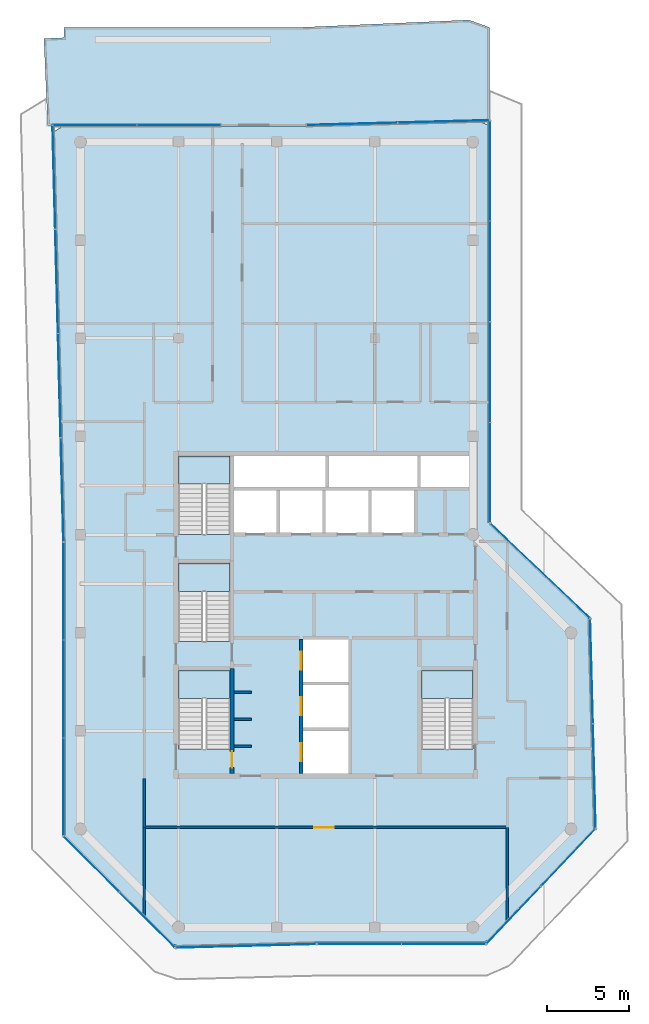
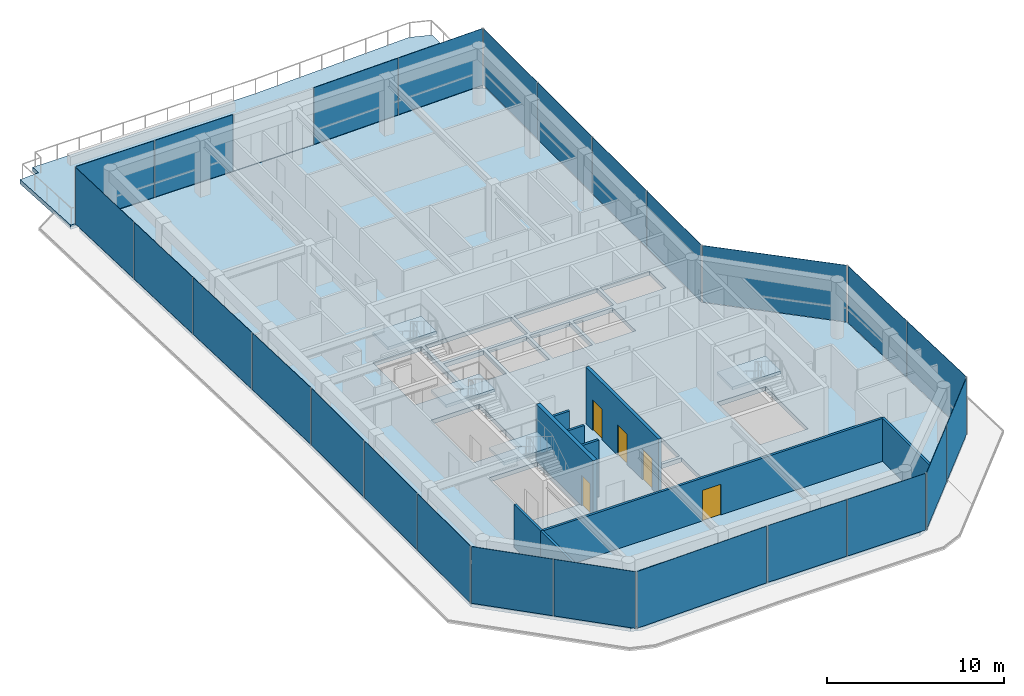
# One storey, part 15 of 20: 25 plates, 9 walls, 6 slabs, 5 doors, 5 openings, 15 elements without a shape of their own.
"""IFC4 building model written with IfcOpenShell, lengths in metres."""

from ifc_helpers import new_model, si_unit, direction, frame, frame_2d, origin, origin_2d, place, context, subcontext, project, spatial, polyline, rectangle, outline, extrude, material, layer, layer_set, type_object, element, fill, aggregate, save


model = new_model("IFC4")

# Units and contexts
model_context = context("Model", 3, precision=1e-05, world=origin(), true_north=direction((0.0, 1.0)))
body_context = subcontext(model_context, "Body", "Model", "MODEL_VIEW")
ifc_project = project(units=[si_unit("LENGTHUNIT", "METRE"), si_unit("AREAUNIT", "SQUARE_METRE"), si_unit("VOLUMEUNIT", "CUBIC_METRE"), si_unit("PLANEANGLEUNIT", "RADIAN"), si_unit("MASSUNIT", "GRAM", prefix="KILO")], contexts=[model_context])

# Site, building, storey
site_placement = place(None, origin())
site = spatial("IfcSite", under=ifc_project, at=site_placement, CompositionType="ELEMENT")
building_placement = place(site_placement, origin())
building = spatial("IfcBuilding", under=site, at=building_placement, Name="Welwitschia Terrace Campus", CompositionType="ELEMENT")
storey_placement = place(building_placement, frame((0.0, 0.0, 327.199951171875)))
storey = spatial("IfcBuildingStorey", under=building, at=storey_placement, Name="L73", CompositionType="ELEMENT", Elevation=327.199951171875)

# Curtain wall, plates
ifc_material_1 = material(Name="Bronze anodised aluminium", Category="aluminium")
ifc_layer_1 = layer(ifc_material_1, 0.10009765625)
ifc_layer_set_1 = layer_set([ifc_layer_1], Name="Bronze anodised aluminium")
curtain_wall_type = type_object("IfcCurtainWallType", Name="Curtain wall CW5 crown 6000", PredefinedType="NOTDEFINED", material=ifc_layer_set_1)
curtain_wall_1_placement = place(storey_placement, origin())
curtain_wall_1 = element("IfcCurtainWall", 1, at=curtain_wall_1_placement, inside=storey, type_object=curtain_wall_type, Name="CW L73.0.0", PredefinedType="NOTDEFINED")
ifc_material_2 = material(Name="Tinted bronze-grey glass", Category="glass")
ifc_layer_2 = layer(ifc_material_2, 0.02392578125)
ifc_layer_set_2 = layer_set([ifc_layer_2], Name="Tinted bronze-grey glass")
plate_type = type_object("IfcPlateType", Name="Glass panel 24 tinted", PredefinedType="CURTAIN_PANEL", material=ifc_layer_set_2)
plate_1_placement = place(storey_placement, frame((-1.030029296875, 16.541015625, 0.0), z_axis=(0.0, 0.0, 1.0), x_axis=(0.0, -1.0, 0.0)))
plate_1 = element("IfcPlate", 2, at=plate_1_placement, type_object=plate_type, Name="Panel L73.0.0.0", PredefinedType="CURTAIN_PANEL", context=body_context, shape_type="SweptSolid", body=[
    extrude(rectangle(XDim=5.9169921875, YDim=0.02392578125, at=origin_2d()), origin(), (0.0, 0.0, 1.0), 3.89990234375),
])
plate_2_placement = place(storey_placement, frame((-1.030029296875, 10.5615234375, 0.0), z_axis=(0.0, 0.0, 1.0), x_axis=(0.0, -1.0, 0.0)))
plate_2 = element("IfcPlate", 3, at=plate_2_placement, type_object=plate_type, Name="Panel L73.0.0.1", PredefinedType="CURTAIN_PANEL", context=body_context, shape_type="SweptSolid", body=[
    extrude(rectangle(XDim=5.942138671875, YDim=0.02392578125, at=origin_2d()), origin(), (0.0, 0.0, 1.0), 3.89990234375),
])
plate_3_placement = place(storey_placement, frame((-1.030029296875, 4.581787109375, 0.0), z_axis=(0.0, 0.0, 1.0), x_axis=(0.0, -1.0, 0.0)))
plate_3 = element("IfcPlate", 4, at=plate_3_placement, type_object=plate_type, Name="Panel L73.0.0.2", PredefinedType="CURTAIN_PANEL", context=body_context, shape_type="SweptSolid", body=[
    extrude(rectangle(XDim=5.9169921875, YDim=0.02392578125, at=origin_2d()), origin(), (0.0, 0.0, 1.0), 3.89990234375),
])
aggregate(curtain_wall_1, [plate_1, plate_2, plate_3])

curtain_wall_2_placement = place(storey_placement, origin())
curtain_wall_2 = element("IfcCurtainWall", 5, at=curtain_wall_2_placement, inside=storey, type_object=curtain_wall_type, Name="CW L73.1.0", PredefinedType="NOTDEFINED")
plate_4_placement = place(storey_placement, frame((0.686279296875, -0.142822265625, 0.0), z_axis=(0.0, 0.0, 1.0), x_axis=(0.707106781187, -0.707106781187, 0.0)))
plate_4 = element("IfcPlate", 6, at=plate_4_placement, type_object=plate_type, Name="Panel L73.1.0.0", PredefinedType="CURTAIN_PANEL", context=body_context, shape_type="SweptSolid", body=[
    extrude(rectangle(XDim=4.75439453125, YDim=0.02392578125, at=origin_2d()), origin(), (0.0, 0.0, 1.0), 3.89990234375),
])
plate_5_placement = place(storey_placement, frame((4.08349609375, -3.5400390625, 0.0), z_axis=(0.0, 0.0, 1.0), x_axis=(0.707106781187, -0.707106781187, 0.0)))
plate_5 = element("IfcPlate", 7, at=plate_5_placement, type_object=plate_type, Name="Panel L73.1.0.1", PredefinedType="CURTAIN_PANEL", context=body_context, shape_type="SweptSolid", body=[
    extrude(rectangle(XDim=4.75439453125, YDim=0.02392578125, at=origin_2d()), origin(), (0.0, 0.0, 1.0), 3.89990234375),
])
aggregate(curtain_wall_2, [plate_4, plate_5])

# Curtain wall, plate
curtain_wall_3_placement = place(storey_placement, origin())
curtain_wall_3 = element("IfcCurtainWall", 8, at=curtain_wall_3_placement, inside=storey, type_object=curtain_wall_type, Name="CW L73.2.0", PredefinedType="NOTDEFINED")
plate_6_placement = place(storey_placement, frame((10.12353515625, -5.143310546875, 0.0), z_axis=(0.0, 0.0, 1.0), x_axis=(0.999657324976, 0.026176948308, 0.0)))
plate_6 = element("IfcPlate", 9, at=plate_6_placement, type_object=plate_type, Name="Panel L73.2.0.0", PredefinedType="CURTAIN_PANEL", context=body_context, shape_type="SweptSolid", body=[
    extrude(rectangle(XDim=8.550537109375, YDim=0.02392578125, at=origin_2d()), origin(), (0.0, 0.0, 1.0), 3.89990234375),
])
aggregate(curtain_wall_3, [plate_6])

# Curtain wall, plates
curtain_wall_4_placement = place(storey_placement, origin())
curtain_wall_4 = element("IfcCurtainWall", 10, at=curtain_wall_4_placement, inside=storey, type_object=curtain_wall_type, Name="CW L73.3.0", PredefinedType="NOTDEFINED")
plate_7_placement = place(storey_placement, frame((17.050048828125, -5.030029296875, 0.0), z_axis=(0.0, 0.0, 1.0), x_axis=(1.0, 0.0, 0.0)))
plate_7 = element("IfcPlate", 11, at=plate_7_placement, type_object=plate_type, Name="Panel L73.3.0.0", PredefinedType="CURTAIN_PANEL", context=body_context, shape_type="SweptSolid", body=[
    extrude(rectangle(XDim=5.105224609375, YDim=0.02392578125, at=origin_2d()), origin(), (0.0, 0.0, 1.0), 3.89990234375),
])
plate_8_placement = place(storey_placement, frame((22.205078125, -5.030029296875, 0.0), z_axis=(0.0, 0.0, 1.0), x_axis=(1.0, 0.0, 0.0)))
plate_8 = element("IfcPlate", 12, at=plate_8_placement, type_object=plate_type, Name="Panel L73.3.0.1", PredefinedType="CURTAIN_PANEL", context=body_context, shape_type="SweptSolid", body=[
    extrude(rectangle(XDim=5.105224609375, YDim=0.02392578125, at=origin_2d()), origin(), (0.0, 0.0, 1.0), 3.89990234375),
])
aggregate(curtain_wall_4, [plate_7, plate_8])

curtain_wall_5_placement = place(storey_placement, origin())
curtain_wall_5 = element("IfcCurtainWall", 13, at=curtain_wall_5_placement, inside=storey, type_object=curtain_wall_type, Name="CW L73.4.0", PredefinedType="NOTDEFINED")
plate_9_placement = place(storey_placement, frame((26.4892578125, -3.2578125, 0.0), z_axis=(0.0, 0.0, 1.0), x_axis=(0.688354575694, 0.725374371012, 0.0)))
plate_9 = element("IfcPlate", 14, at=plate_9_placement, type_object=plate_type, Name="Panel L73.4.0.0", PredefinedType="CURTAIN_PANEL", context=body_context, shape_type="SweptSolid", body=[
    extrude(rectangle(XDim=4.7861328125, YDim=0.02392578125, at=origin_2d()), origin(), (0.0, 0.0, 1.0), 3.89990234375),
])
plate_10_placement = place(storey_placement, frame((29.818359375, 0.25, 0.0), z_axis=(0.0, 0.0, 1.0), x_axis=(0.688354575694, 0.725374371012, 0.0)))
plate_10 = element("IfcPlate", 15, at=plate_10_placement, type_object=plate_type, Name="Panel L73.4.0.1", PredefinedType="CURTAIN_PANEL", context=body_context, shape_type="SweptSolid", body=[
    extrude(rectangle(XDim=4.7861328125, YDim=0.02392578125, at=origin_2d()), origin(), (0.0, 0.0, 1.0), 3.89990234375),
])
aggregate(curtain_wall_5, [plate_9, plate_10])

curtain_wall_6_placement = place(storey_placement, origin())
curtain_wall_6 = element("IfcCurtainWall", 16, at=curtain_wall_6_placement, inside=storey, type_object=curtain_wall_type, Name="CW L73.5.0", PredefinedType="NOTDEFINED")
plate_11_placement = place(storey_placement, frame((31.41552734375, 5.246826171875, 0.0), z_axis=(0.0, 0.0, 1.0), x_axis=(-0.026176948308, 0.999657324976, 0.0)))
plate_11 = element("IfcPlate", 17, at=plate_11_placement, type_object=plate_type, Name="Panel L73.5.0.0", PredefinedType="CURTAIN_PANEL", context=body_context, shape_type="SweptSolid", body=[
    extrude(rectangle(XDim=6.3515625, YDim=0.02392578125, at=origin_2d()), origin(), (0.0, 0.0, 1.0), 3.89990234375),
])
plate_12_placement = place(storey_placement, frame((31.248046875, 11.646240234375, 0.0), z_axis=(0.0, 0.0, 1.0), x_axis=(-0.026176948308, 0.999657324976, 0.0)))
plate_12 = element("IfcPlate", 18, at=plate_12_placement, type_object=plate_type, Name="Panel L73.5.0.1", PredefinedType="CURTAIN_PANEL", context=body_context, shape_type="SweptSolid", body=[
    extrude(rectangle(XDim=6.3515625, YDim=0.02392578125, at=origin_2d()), origin(), (0.0, 0.0, 1.0), 3.89990234375),
])
aggregate(curtain_wall_6, [plate_11, plate_12])

# Curtain wall, plate
curtain_wall_7_placement = place(storey_placement, origin())
curtain_wall_7 = element("IfcCurtainWall", 19, at=curtain_wall_7_placement, inside=storey, type_object=curtain_wall_type, Name="CW L73.6.0", PredefinedType="NOTDEFINED")
plate_13_placement = place(storey_placement, frame((28.0966796875, 17.78125, 0.0), z_axis=(0.0, 0.0, 1.0), x_axis=(-0.725374371012, 0.688354575694, 0.0)))
plate_13 = element("IfcPlate", 20, at=plate_13_placement, type_object=plate_type, Name="Panel L73.6.0.0", PredefinedType="CURTAIN_PANEL", context=body_context, shape_type="SweptSolid", body=[
    extrude(rectangle(XDim=8.355712890625, YDim=0.02392578125, at=origin_2d()), origin(), (0.0, 0.0, 1.0), 3.89990234375),
])
aggregate(curtain_wall_7, [plate_13])

# Curtain wall, plates
curtain_wall_8_placement = place(storey_placement, origin())
curtain_wall_8 = element("IfcCurtainWall", 21, at=curtain_wall_8_placement, inside=storey, type_object=curtain_wall_type, Name="CW L73.7.0", PredefinedType="NOTDEFINED")
plate_14_placement = place(storey_placement, frame((25.030029296875, 23.783203125, 0.0), z_axis=(0.0, 0.0, 1.0), x_axis=(0.0, 1.0, 0.0)))
plate_14 = element("IfcPlate", 22, at=plate_14_placement, type_object=plate_type, Name="Panel L73.7.0.0", PredefinedType="CURTAIN_PANEL", context=body_context, shape_type="SweptSolid", body=[
    extrude(rectangle(XDim=6.083251953125, YDim=0.02392578125, at=origin_2d()), origin(), (0.0, 0.0, 1.0), 3.89990234375),
])
plate_15_placement = place(storey_placement, frame((25.030029296875, 29.9287109375, 0.0), z_axis=(0.0, 0.0, 1.0), x_axis=(0.0, 1.0, 0.0)))
plate_15 = element("IfcPlate", 23, at=plate_15_placement, type_object=plate_type, Name="Panel L73.7.0.1", PredefinedType="CURTAIN_PANEL", context=body_context, shape_type="SweptSolid", body=[
    extrude(rectangle(XDim=6.108154296875, YDim=0.02392578125, at=origin_2d()), origin(), (0.0, 0.0, 1.0), 3.89990234375),
])
plate_16_placement = place(storey_placement, frame((25.030029296875, 36.0869140625, 0.0), z_axis=(0.0, 0.0, 1.0), x_axis=(0.0, 1.0, 0.0)))
plate_16 = element("IfcPlate", 24, at=plate_16_placement, type_object=plate_type, Name="Panel L73.7.0.2", PredefinedType="CURTAIN_PANEL", context=body_context, shape_type="SweptSolid", body=[
    extrude(rectangle(XDim=6.108154296875, YDim=0.02392578125, at=origin_2d()), origin(), (0.0, 0.0, 1.0), 3.89990234375),
])
plate_17_placement = place(storey_placement, frame((25.030029296875, 42.232666015625, 0.0), z_axis=(0.0, 0.0, 1.0), x_axis=(0.0, 1.0, 0.0)))
plate_17 = element("IfcPlate", 25, at=plate_17_placement, type_object=plate_type, Name="Panel L73.7.0.3", PredefinedType="CURTAIN_PANEL", context=body_context, shape_type="SweptSolid", body=[
    extrude(rectangle(XDim=6.083251953125, YDim=0.02392578125, at=origin_2d()), origin(), (0.0, 0.0, 1.0), 3.89990234375),
])
aggregate(curtain_wall_8, [plate_14, plate_15, plate_16, plate_17])

curtain_wall_9_placement = place(storey_placement, origin())
curtain_wall_9 = element("IfcCurtainWall", 26, at=curtain_wall_9_placement, inside=storey, type_object=curtain_wall_type, Name="CW L73.8.0", PredefinedType="NOTDEFINED")
plate_18_placement = place(storey_placement, frame((22.2080078125, 45.25048828125, 0.0), z_axis=(0.0, 0.0, 1.0), x_axis=(-0.999657324976, -0.026176948308, 0.0)))
plate_18 = element("IfcPlate", 27, at=plate_18_placement, type_object=plate_type, Name="Panel L73.8.0.0", PredefinedType="CURTAIN_PANEL", context=body_context, shape_type="SweptSolid", body=[
    extrude(rectangle(XDim=5.5458984375, YDim=0.02392578125, at=origin_2d()), origin(), (0.0, 0.0, 1.0), 3.89990234375),
])
plate_19_placement = place(storey_placement, frame((16.614013671875, 45.10400390625, 0.0), z_axis=(0.0, 0.0, 1.0), x_axis=(-0.999657324976, -0.026176948308, 0.0)))
plate_19 = element("IfcPlate", 28, at=plate_19_placement, type_object=plate_type, Name="Panel L73.8.0.1", PredefinedType="CURTAIN_PANEL", context=body_context, shape_type="SweptSolid", body=[
    extrude(rectangle(XDim=5.5458984375, YDim=0.02392578125, at=origin_2d()), origin(), (0.0, 0.0, 1.0), 3.89990234375),
])
aggregate(curtain_wall_9, [plate_18, plate_19])

curtain_wall_10_placement = place(storey_placement, origin())
curtain_wall_10 = element("IfcCurtainWall", 29, at=curtain_wall_10_placement, inside=storey, type_object=curtain_wall_type, Name="CW L73.9.1", PredefinedType="NOTDEFINED")
plate_20_placement = place(storey_placement, frame((6.034912109375, 45.030029296875, 0.0), z_axis=(0.0, 0.0, 1.0), x_axis=(-1.0, 0.0, 0.0)))
plate_20 = element("IfcPlate", 30, at=plate_20_placement, type_object=plate_type, Name="Panel L73.9.1.0", PredefinedType="CURTAIN_PANEL", context=body_context, shape_type="SweptSolid", body=[
    extrude(rectangle(XDim=5.088134765625, YDim=0.02392578125, at=origin_2d()), origin(), (0.0, 0.0, 1.0), 3.89990234375),
])
plate_21_placement = place(storey_placement, frame((0.896728515625, 45.030029296875, 0.0), z_axis=(0.0, 0.0, 1.0), x_axis=(-1.0, 0.0, 0.0)))
plate_21 = element("IfcPlate", 31, at=plate_21_placement, type_object=plate_type, Name="Panel L73.9.1.1", PredefinedType="CURTAIN_PANEL", context=body_context, shape_type="SweptSolid", body=[
    extrude(rectangle(XDim=5.088134765625, YDim=0.02392578125, at=origin_2d()), origin(), (0.0, 0.0, 1.0), 3.89990234375),
])
aggregate(curtain_wall_10, [plate_20, plate_21])

curtain_wall_11_placement = place(storey_placement, origin())
curtain_wall_11 = element("IfcCurtainWall", 32, at=curtain_wall_11_placement, inside=storey, type_object=curtain_wall_type, Name="CW L73.10.0", PredefinedType="NOTDEFINED")
plate_22_placement = place(storey_placement, frame((-1.613525390625, 41.83251953125, 0.0), z_axis=(0.0, 0.0, 1.0), x_axis=(0.026176948308, -0.999657324976, 0.0)))
plate_22 = element("IfcPlate", 33, at=plate_22_placement, type_object=plate_type, Name="Panel L73.10.0.0", PredefinedType="CURTAIN_PANEL", context=body_context, shape_type="SweptSolid", body=[
    extrude(rectangle(XDim=6.29736328125, YDim=0.02392578125, at=origin_2d()), origin(), (0.0, 0.0, 1.0), 3.89990234375),
])
plate_23_placement = place(storey_placement, frame((-1.447021484375, 35.474853515625, 0.0), z_axis=(0.0, 0.0, 1.0), x_axis=(0.026176948308, -0.999657324976, 0.0)))
plate_23 = element("IfcPlate", 34, at=plate_23_placement, type_object=plate_type, Name="Panel L73.10.0.1", PredefinedType="CURTAIN_PANEL", context=body_context, shape_type="SweptSolid", body=[
    extrude(rectangle(XDim=6.322265625, YDim=0.02392578125, at=origin_2d()), origin(), (0.0, 0.0, 1.0), 3.89990234375),
])
plate_24_placement = place(storey_placement, frame((-1.2802734375, 29.104736328125, 0.0), z_axis=(0.0, 0.0, 1.0), x_axis=(0.026176948308, -0.999657324976, 0.0)))
plate_24 = element("IfcPlate", 35, at=plate_24_placement, type_object=plate_type, Name="Panel L73.10.0.2", PredefinedType="CURTAIN_PANEL", context=body_context, shape_type="SweptSolid", body=[
    extrude(rectangle(XDim=6.322265625, YDim=0.02392578125, at=origin_2d()), origin(), (0.0, 0.0, 1.0), 3.89990234375),
])
plate_25_placement = place(storey_placement, frame((-1.11376953125, 22.7470703125, 0.0), z_axis=(0.0, 0.0, 1.0), x_axis=(0.026176948308, -0.999657324976, 0.0)))
plate_25 = element("IfcPlate", 36, at=plate_25_placement, type_object=plate_type, Name="Panel L73.10.0.3", PredefinedType="CURTAIN_PANEL", context=body_context, shape_type="SweptSolid", body=[
    extrude(rectangle(XDim=6.29736328125, YDim=0.02392578125, at=origin_2d()), origin(), (0.0, 0.0, 1.0), 3.89990234375),
])
aggregate(curtain_wall_11, [plate_22, plate_23, plate_24, plate_25])

# Stair, slab
ifc_material_3 = material(Name="Concrete C40/50", Category="concrete")
stair_type = type_object("IfcStairType", Name="Stair 24R 175 W1500", PredefinedType="HALF_TURN_STAIR", material=ifc_material_3)
stair_1_placement = place(storey_placement, origin())
stair_1 = element("IfcStair", 37, at=stair_1_placement, inside=storey, type_object=stair_type, Name="L73 Exit stair S1", PredefinedType="HALF_TURN_STAIR")
ifc_material_4 = material(Name="Concrete C40/50", Category="concrete")
ifc_layer_3 = layer(ifc_material_4, 0.199951171875)
ifc_layer_set_3 = layer_set([ifc_layer_3], Name="Concrete C40/50")
slab_type_1 = type_object("IfcSlabType", Name="Stair landing RC", PredefinedType="LANDING", material=ifc_layer_set_3)
slab_1_placement = place(storey_placement, frame((0.0, 0.0, 1.900146484375)))
slab_1 = element("IfcSlab", 38, at=slab_1_placement, type_object=slab_type_1, Name="S1 landing 1", PredefinedType="LANDING", context=body_context, shape_type="SweptSolid", body=[
    extrude(outline(polyline([(9.14990234375, 9.97998046875), (9.14990234375, 11.699951171875), (6.0, 11.699951171875), (6.0, 9.97998046875), (9.14990234375, 9.97998046875)])), origin(), (0.0, 0.0, 1.0), 0.199951171875),
])
aggregate(stair_1, [slab_1])

stair_2_placement = place(storey_placement, origin())
stair_2 = element("IfcStair", 39, at=stair_2_placement, inside=storey, type_object=stair_type, Name="L73 Exit stair S3", PredefinedType="HALF_TURN_STAIR")
slab_2_placement = place(storey_placement, frame((0.0, 0.0, 1.900146484375)))
slab_2 = element("IfcSlab", 40, at=slab_2_placement, type_object=slab_type_1, Name="S3 landing 1", PredefinedType="LANDING", context=body_context, shape_type="SweptSolid", body=[
    extrude(outline(polyline([(9.14990234375, 16.530029296875), (9.14990234375, 18.25), (6.0, 18.25), (6.0, 16.530029296875), (9.14990234375, 16.530029296875)])), origin(), (0.0, 0.0, 1.0), 0.199951171875),
])
aggregate(stair_2, [slab_2])

stair_3_placement = place(storey_placement, origin())
stair_3 = element("IfcStair", 41, at=stair_3_placement, inside=storey, type_object=stair_type, Name="L73 Exit stair S4", PredefinedType="HALF_TURN_STAIR")
slab_3_placement = place(storey_placement, frame((0.0, 0.0, 1.900146484375)))
slab_3 = element("IfcSlab", 42, at=slab_3_placement, type_object=slab_type_1, Name="S4 landing 1", PredefinedType="LANDING", context=body_context, shape_type="SweptSolid", body=[
    extrude(outline(polyline([(9.14990234375, 23.080078125), (9.14990234375, 24.800048828125), (6.0, 24.800048828125), (6.0, 23.080078125), (9.14990234375, 23.080078125)])), origin(), (0.0, 0.0, 1.0), 0.199951171875),
])
aggregate(stair_3, [slab_3])

stair_4_placement = place(storey_placement, origin())
stair_4 = element("IfcStair", 43, at=stair_4_placement, inside=storey, type_object=stair_type, Name="L73 Exit stair S2", PredefinedType="HALF_TURN_STAIR")
slab_4_placement = place(storey_placement, frame((0.0, 0.0, 1.900146484375)))
slab_4 = element("IfcSlab", 44, at=slab_4_placement, type_object=slab_type_1, Name="S2 landing 1", PredefinedType="LANDING", context=body_context, shape_type="SweptSolid", body=[
    extrude(outline(polyline([(24.0, 9.97998046875), (24.0, 11.699951171875), (20.85009765625, 11.699951171875), (20.85009765625, 9.97998046875), (24.0, 9.97998046875)])), origin(), (0.0, 0.0, 1.0), 0.199951171875),
])
aggregate(stair_4, [slab_4])

# Slabs
ifc_material_5 = material(Name="Concrete C40/50", Category="concrete")
ifc_layer_4 = layer(ifc_material_5, 0.300048828125)
ifc_layer_set_4 = layer_set([ifc_layer_4], Name="Concrete C40/50")
slab_type_2 = type_object("IfcSlabType", Name="Suspended floor slab 300", PredefinedType="FLOOR", material=ifc_layer_set_4)
slab_5_placement = place(storey_placement, frame((0.0, 0.0, -0.300048828125)))
element("IfcSlab", 45, at=slab_5_placement, inside=storey, type_object=slab_type_2, Name="Floor slab L73", PredefinedType="FLOOR", context=body_context, shape_type="SweptSolid", body=[
    extrude(outline(polyline([(-1.003173828125, 44.998046875), (-0.99609375, 44.986328125), (-1.0, 44.985107421875), (-1.0, 44.985107421875), (13.79248046875, 44.985107421875), (13.79296875, 44.985107421875), (24.33251953125, 45.260986328125), (24.333984375, 45.26025390625), (24.33984375, 45.274169921875), (25.0, 45.0), (25.0, 20.6787109375), (31.1337890625, 14.85791015625), (31.4697265625, 2.03369140625), (25.05859375, -4.72216796875), (24.414306640625, -5.0), (14.447021484375, -5.0), (6.236572265625, -5.215087890625), (5.585693359375, -5.0), (-1.0, 1.585693359375), (-1.0, 19.550048828125), (-1.65576171875, 44.595458984375), (-1.003173828125, 44.998046875)]), holes=[polyline([(13.60009765625, 5.39990234375), (16.39990234375, 5.39990234375), (16.39990234375, 8.0), (13.60009765625, 8.0), (13.60009765625, 5.39990234375)]), polyline([(6.0, 11.699951171875), (6.0, 6.902099609375), (9.14990234375, 6.902099609375), (9.14990234375, 11.699951171875), (6.0, 11.699951171875)]), polyline([(6.0, 18.25), (6.0, 13.451904296875), (9.14990234375, 13.451904296875), (9.14990234375, 18.25), (6.0, 18.25)]), polyline([(9.39990234375, 22.699951171875), (9.39990234375, 20.10009765625), (12.0, 20.10009765625), (12.0, 22.699951171875), (9.39990234375, 22.699951171875)]), polyline([(12.199951171875, 22.699951171875), (12.199951171875, 20.10009765625), (14.800048828125, 20.10009765625), (14.800048828125, 22.699951171875), (12.199951171875, 22.699951171875)]), polyline([(6.0, 24.800048828125), (6.0, 20.001953125), (9.14990234375, 20.001953125), (9.14990234375, 24.800048828125), (6.0, 24.800048828125)]), polyline([(9.39990234375, 24.800048828125), (9.39990234375, 22.89990234375), (15.0, 22.89990234375), (15.0, 24.800048828125), (9.39990234375, 24.800048828125)]), polyline([(20.85009765625, 6.902099609375), (24.0, 6.902099609375), (24.0, 11.699951171875), (20.85009765625, 11.699951171875), (20.85009765625, 6.902099609375)]), polyline([(13.60009765625, 10.800048828125), (13.60009765625, 8.199951171875), (16.39990234375, 8.199951171875), (16.39990234375, 10.800048828125), (13.60009765625, 10.800048828125)]), polyline([(13.60009765625, 13.60009765625), (13.60009765625, 11.0), (16.39990234375, 11.0), (16.39990234375, 13.60009765625), (13.60009765625, 13.60009765625)]), polyline([(15.0, 22.699951171875), (15.0, 20.10009765625), (17.60009765625, 20.10009765625), (17.60009765625, 22.699951171875), (15.0, 22.699951171875)]), polyline([(17.800048828125, 22.699951171875), (17.800048828125, 20.10009765625), (20.39990234375, 20.10009765625), (20.39990234375, 22.699951171875), (17.800048828125, 22.699951171875)]), polyline([(15.199951171875, 24.800048828125), (15.199951171875, 22.89990234375), (20.60009765625, 22.89990234375), (20.60009765625, 24.800048828125), (15.199951171875, 24.800048828125)]), polyline([(20.800048828125, 24.800048828125), (20.800048828125, 22.89990234375), (24.0, 22.89990234375), (24.0, 24.800048828125), (20.800048828125, 24.800048828125)])]), origin(), (0.0, 0.0, 1.0), 0.300048828125),
])
ifc_material_6 = material(Name="Concrete C40/50", Category="concrete")
ifc_layer_5 = layer(ifc_material_6, 0.300048828125)
ifc_layer_set_5 = layer_set([ifc_layer_5], Name="Concrete C40/50")
slab_type_3 = type_object("IfcSlabType", Name="Terrace slab 300", PredefinedType="FLOOR", material=ifc_layer_set_5)
slab_6_placement = place(storey_placement, frame((0.0, 0.0, -0.300048828125)))
element("IfcSlab", 46, at=slab_6_placement, inside=storey, type_object=slab_type_3, Name="Terrace slab", PredefinedType="FLOOR", context=body_context, shape_type="SweptSolid", body=[
    extrude(outline(polyline([(-1.9912109375, 45.0), (-2.223388671875, 50.31591796875), (-1.0, 50.369384765625), (-1.0, 51.0), (13.443359375, 51.0), (23.751953125, 51.4501953125), (25.0, 51.0), (25.0, 45.29345703125), (24.340576171875, 45.276123046875), (24.345458984375, 45.2880859375), (24.341064453125, 45.2900390625), (24.339599609375, 45.29052734375), (24.337890625, 45.290771484375), (24.33642578125, 45.291015625), (24.3349609375, 45.291015625), (13.792236328125, 45.014892578125), (-1.0, 45.014892578125), (-1.00146484375, 45.014892578125), (-1.002685546875, 45.0146484375), (-1.004150390625, 45.014404296875), (-1.00537109375, 45.013916015625), (-1.006591796875, 45.013427734375), (-1.0078125, 45.0126953125), (-1.01123046875, 45.0107421875), (-1.00439453125, 45.0), (-1.9912109375, 45.0)])), origin(), (0.0, 0.0, 1.0), 0.300048828125),
])

# Walls
ifc_material_7 = material(Name="Concrete C50/60", Category="concrete")
ifc_layer_6 = layer(ifc_material_7, 0.14990234375)
ifc_layer_set_6 = layer_set([ifc_layer_6], Name="Concrete C50/60")
wall_type_1 = type_object("IfcWallType", Name="Core wall 150 Concrete C50/60", PredefinedType="SHEAR", material=ifc_layer_set_6)
for number, where, z_axis, x_axis, name in (
    (47, (9.39990234375, 7.074951171875, 0.0), (0.0, 0.0, 1.0), (1.0, 0.0, 0.0), "Core wall"),
    (48, (9.39990234375, 8.72509765625, 0.0), (0.0, 0.0, 1.0), (1.0, 0.0, 0.0), "Core wall"),
    (49, (9.39990234375, 10.375, 0.0), (0.0, 0.0, 1.0), (1.0, 0.0, 0.0), "Core wall"),
):
    element("IfcWall", number, at=place(storey_placement, frame(where, z_axis=z_axis, x_axis=x_axis)), inside=storey, type_object=wall_type_1, Name=name, PredefinedType="SHEAR", context=body_context, shape_type="SweptSolid", body=[
        extrude(rectangle(XDim=1.050048828125, YDim=0.14990234375, at=frame_2d((0.52490234375, 0.0))), origin(), (0.0, 0.0, 1.0), 3.900146484375),
    ])

# Wall, openings, doors
ifc_material_8 = material(Name="Concrete C50/60", Category="concrete")
ifc_layer_7 = layer(ifc_material_8, 0.199951171875)
ifc_layer_set_7 = layer_set([ifc_layer_7], Name="Concrete C50/60")
wall_type_2 = type_object("IfcWallType", Name="Core wall 200 Concrete C50/60", PredefinedType="SHEAR", material=ifc_layer_set_7)
wall_1_placement = place(storey_placement, frame((13.5, 5.39990234375, 0.0), z_axis=(0.0, 0.0, 1.0), x_axis=(0.0, 1.0, 0.0)))
wall_1 = element("IfcWall", 50, at=wall_1_placement, inside=storey, type_object=wall_type_2, Name="Core wall", PredefinedType="SHEAR", context=body_context, shape_type="SweptSolid", body=[
    extrude(rectangle(XDim=8.2001953125, YDim=0.199951171875, at=frame_2d((4.10009765625, 0.0))), origin(), (0.0, 0.0, 1.0), 3.900146484375),
])
opening_1_placement = place(wall_1_placement, frame((0.75, 0.0, 0.0)))
opening_1 = element("IfcOpeningElement", 51, at=opening_1_placement, cuts=wall_1, Name="Opening LD", PredefinedType="OPENING", context=body_context, shape_type="SweptSolid", body=[
    extrude(rectangle(XDim=1.10009765625, YDim=2.10009765625, at=frame_2d((0.550048828125, 1.050048828125))), frame((0.0, 0.10986328125, 0.0), z_axis=(0.0, -1.0, 0.0), x_axis=(1.0, 0.0, 0.0)), (0.0, 0.0, 1.0), 0.219970703125),
])
opening_2_placement = place(wall_1_placement, frame((3.550048828125, 0.0, 0.0)))
opening_2 = element("IfcOpeningElement", 52, at=opening_2_placement, cuts=wall_1, Name="Opening LD", PredefinedType="OPENING", context=body_context, shape_type="SweptSolid", body=[
    extrude(rectangle(XDim=1.10009765625, YDim=2.10009765625, at=frame_2d((0.550048828125, 1.050048828125))), frame((0.0, 0.10986328125, 0.0), z_axis=(0.0, -1.0, 0.0), x_axis=(1.0, 0.0, 0.0)), (0.0, 0.0, 1.0), 0.219970703125),
])
opening_3_placement = place(wall_1_placement, frame((6.35009765625, 0.0, 0.0)))
opening_3 = element("IfcOpeningElement", 53, at=opening_3_placement, cuts=wall_1, Name="Opening LD", PredefinedType="OPENING", context=body_context, shape_type="SweptSolid", body=[
    extrude(rectangle(XDim=1.10009765625, YDim=2.10009765625, at=frame_2d((0.550048828125, 1.050048828125))), frame((0.0, 0.10986328125, 0.0), z_axis=(0.0, -1.0, 0.0), x_axis=(1.0, 0.0, 0.0)), (0.0, 0.0, 1.0), 0.219970703125),
])
ifc_material_9 = material(Name="Stainless steel 304", Category="steel")
door_type_1 = type_object("IfcDoorType", Name="Lift landing door", OperationType="DOUBLE_DOOR_SLIDING", PredefinedType="DOOR", material=ifc_material_9)
door_1_placement = place(opening_1_placement, origin())
door_1 = element("IfcDoor", 54, at=door_1_placement, inside=storey, type_object=door_type_1, Name="Landing door FF1", OperationType="DOUBLE_DOOR_SLIDING", OverallHeight=2.10009765625, OverallWidth=1.10009765625, PredefinedType="DOOR", context=body_context, shape_type="SweptSolid", body=[
    extrude(rectangle(XDim=1.10009765625, YDim=2.10009765625, at=frame_2d((0.550048828125, 1.050048828125))), frame((0.0, 0.02490234375, 0.0), z_axis=(0.0, -1.0, 0.0), x_axis=(1.0, 0.0, 0.0)), (0.0, 0.0, 1.0), 0.050048828125),
])
fill(opening_1, door_1)
door_2_placement = place(opening_2_placement, origin())
door_2 = element("IfcDoor", 55, at=door_2_placement, inside=storey, type_object=door_type_1, Name="Landing door FF2", OperationType="DOUBLE_DOOR_SLIDING", OverallHeight=2.10009765625, OverallWidth=1.10009765625, PredefinedType="DOOR", context=body_context, shape_type="SweptSolid", body=[
    extrude(rectangle(XDim=1.10009765625, YDim=2.10009765625, at=frame_2d((0.550048828125, 1.050048828125))), frame((0.0, 0.02490234375, 0.0), z_axis=(0.0, -1.0, 0.0), x_axis=(1.0, 0.0, 0.0)), (0.0, 0.0, 1.0), 0.050048828125),
])
fill(opening_2, door_2)
door_3_placement = place(opening_3_placement, origin())
door_3 = element("IfcDoor", 56, at=door_3_placement, inside=storey, type_object=door_type_1, Name="Landing door SV1", OperationType="DOUBLE_DOOR_SLIDING", OverallHeight=2.10009765625, OverallWidth=1.10009765625, PredefinedType="DOOR", context=body_context, shape_type="SweptSolid", body=[
    extrude(rectangle(XDim=1.10009765625, YDim=2.10009765625, at=frame_2d((0.550048828125, 1.050048828125))), frame((0.0, 0.02490234375, 0.0), z_axis=(0.0, -1.0, 0.0), x_axis=(1.0, 0.0, 0.0)), (0.0, 0.0, 1.0), 0.050048828125),
])
fill(opening_3, door_3)

# Wall, opening, door
ifc_material_10 = material(Name="Concrete C50/60", Category="concrete")
ifc_layer_8 = layer(ifc_material_10, 0.25)
ifc_layer_set_8 = layer_set([ifc_layer_8], Name="Concrete C50/60")
wall_type_3 = type_object("IfcWallType", Name="Core wall 250 Concrete C50/60", PredefinedType="SHEAR", material=ifc_layer_set_8)
wall_2_placement = place(storey_placement, frame((9.27490234375, 11.824951171875, 0.0), z_axis=(0.0, 0.0, 1.0), x_axis=(0.0, -1.0, 0.0)))
wall_2 = element("IfcWall", 57, at=wall_2_placement, inside=storey, type_object=wall_type_3, Name="Core wall", PredefinedType="SHEAR", context=body_context, shape_type="SweptSolid", body=[
    extrude(rectangle(XDim=6.425048828125, YDim=0.25, at=frame_2d((3.21240234375, 0.0))), origin(), (0.0, 0.0, 1.0), 3.900146484375),
])
opening_4_placement = place(wall_2_placement, frame((5.074951171875, 0.0, 0.0)))
opening_4 = element("IfcOpeningElement", 58, at=opening_4_placement, cuts=wall_2, Name="Opening DS10", PredefinedType="OPENING", context=body_context, shape_type="SweptSolid", body=[
    extrude(rectangle(XDim=1.0, YDim=2.10009765625, at=frame_2d((0.5, 1.050048828125))), frame((0.0, 0.135009765625, 0.0), z_axis=(0.0, -1.0, 0.0), x_axis=(1.0, 0.0, 0.0)), (0.0, 0.0, 1.0), 0.27001953125),
])
ifc_material_11 = material(Name="Steel S275", Category="steel")
door_type_2 = type_object("IfcDoorType", Name="Core door DS10", OperationType="SINGLE_SWING_LEFT", PredefinedType="DOOR", material=ifc_material_11)
door_4_placement = place(opening_4_placement, origin())
door_4 = element("IfcDoor", 59, at=door_4_placement, inside=storey, type_object=door_type_2, Name="Door S1-FL", OperationType="SINGLE_SWING_RIGHT", OverallHeight=2.10009765625, OverallWidth=1.0, PredefinedType="DOOR", context=body_context, shape_type="SweptSolid", body=[
    extrude(rectangle(XDim=1.0, YDim=2.10009765625, at=frame_2d((0.5, 1.050048828125))), frame((0.0, 0.02490234375, 0.0), z_axis=(0.0, -1.0, 0.0), x_axis=(1.0, 0.0, 0.0)), (0.0, 0.0, 1.0), 0.050048828125),
])
fill(opening_4, door_4)

# Walls
ifc_material_12 = material(Name="Gypsum board on steel studs", Category="steel")
ifc_layer_9 = layer(ifc_material_12, 0.14990234375)
ifc_layer_set_9 = layer_set([ifc_layer_9], Name="Gypsum board on steel studs")
wall_type_4 = type_object("IfcWallType", Name="Corridor partition 150 EI 30", PredefinedType="PARTITIONING", material=ifc_layer_set_9)
wall_3_placement = place(storey_placement, frame((3.89990234375, -3.2900390625, 0.0), z_axis=(0.0, 0.0, 1.0), x_axis=(0.0, 1.0, 0.0)))
element("IfcWall", 60, at=wall_3_placement, inside=storey, type_object=wall_type_4, Name="Partition", PredefinedType="PARTITIONING", context=body_context, shape_type="SweptSolid", body=[
    extrude(rectangle(XDim=5.39013671875, YDim=0.14990234375, at=frame_2d((2.695068359375, 0.0))), origin(), (0.0, 0.0, 1.0), 2.949951171875),
])
wall_4_placement = place(storey_placement, frame((3.89990234375, 2.10009765625, 0.0), z_axis=(0.0, 0.0, 1.0), x_axis=(0.0, 1.0, 0.0)))
element("IfcWall", 61, at=wall_4_placement, inside=storey, type_object=wall_type_4, Name="Partition", PredefinedType="PARTITIONING", context=body_context, shape_type="SweptSolid", body=[
    extrude(rectangle(XDim=3.0, YDim=0.14990234375, at=frame_2d((1.5, 0.0))), origin(), (0.0, 0.0, 1.0), 2.949951171875),
])
wall_5_placement = place(storey_placement, frame((26.10009765625, -3.60009765625, 0.0), z_axis=(0.0, 0.0, 1.0), x_axis=(0.0, 1.0, 0.0)))
element("IfcWall", 62, at=wall_5_placement, inside=storey, type_object=wall_type_4, Name="Partition", PredefinedType="PARTITIONING", context=body_context, shape_type="SweptSolid", body=[
    extrude(rectangle(XDim=5.7001953125, YDim=0.14990234375, at=frame_2d((2.85009765625, 0.0))), origin(), (0.0, 0.0, 1.0), 2.949951171875),
])

# Wall, opening, door
wall_6_placement = place(storey_placement, frame((26.10009765625, 2.10009765625, 0.0), z_axis=(0.0, 0.0, 1.0), x_axis=(-1.0, 0.0, 0.0)))
wall_6 = element("IfcWall", 63, at=wall_6_placement, inside=storey, type_object=wall_type_4, Name="Partition", PredefinedType="PARTITIONING", context=body_context, shape_type="SweptSolid", body=[
    extrude(rectangle(XDim=22.2001953125, YDim=0.14990234375, at=frame_2d((11.10009765625, 0.0))), origin(), (0.0, 0.0, 1.0), 2.949951171875),
])
opening_5_placement = place(wall_6_placement, frame((10.60009765625, 0.0, 0.0)))
opening_5 = element("IfcOpeningElement", 64, at=opening_5_placement, cuts=wall_6, Name="Opening DI12", PredefinedType="OPENING", context=body_context, shape_type="SweptSolid", body=[
    extrude(rectangle(XDim=1.199951171875, YDim=2.10009765625, at=frame_2d((0.60009765625, 1.050048828125))), frame((0.0, 0.0849609375, 0.0), z_axis=(0.0, -1.0, 0.0), x_axis=(1.0, 0.0, 0.0)), (0.0, 0.0, 1.0), 0.169921875),
])
ifc_material_13 = material(Name="Timber veneered door", Category="wood")
door_type_3 = type_object("IfcDoorType", Name="Interior door DI12", OperationType="NOTDEFINED", PredefinedType="DOOR", material=ifc_material_13)
door_5_placement = place(opening_5_placement, origin())
door_5 = element("IfcDoor", 65, at=door_5_placement, inside=storey, type_object=door_type_3, Name="Door L73 1276", OperationType="SINGLE_SWING_LEFT", OverallHeight=2.10009765625, OverallWidth=1.199951171875, PredefinedType="DOOR", context=body_context, shape_type="SweptSolid", body=[
    extrude(rectangle(XDim=1.199951171875, YDim=2.10009765625, at=frame_2d((0.60009765625, 1.050048828125))), frame((0.0, 0.02490234375, 0.0), z_axis=(0.0, -1.0, 0.0), x_axis=(1.0, 0.0, 0.0)), (0.0, 0.0, 1.0), 0.050048828125),
])
fill(opening_5, door_5)

save(model, "model.ifc")
